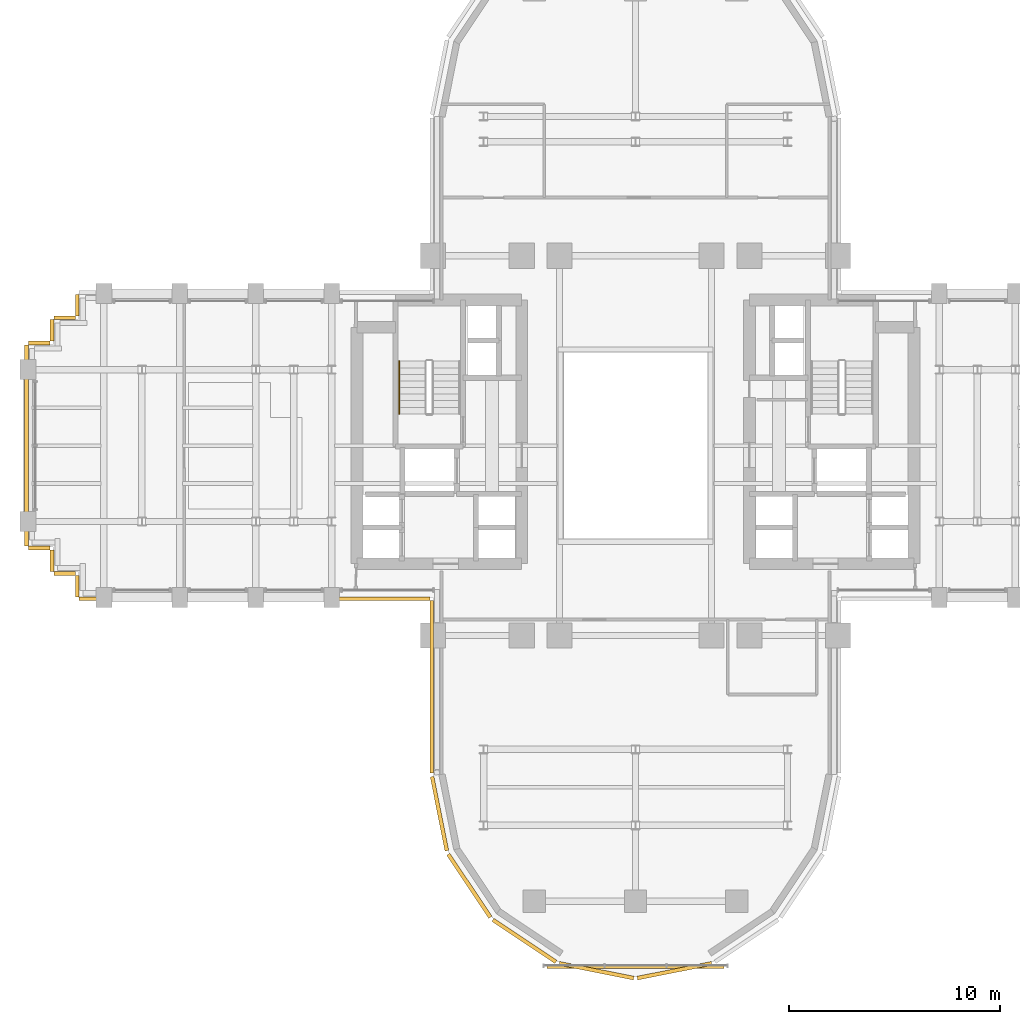
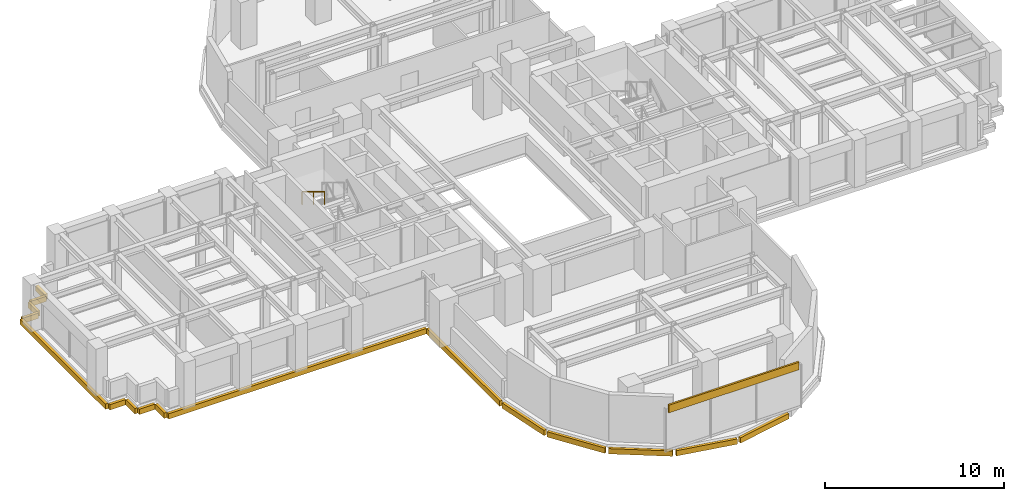
# One storey, part 13 of 16: 17 coverings, 1 railing.
"""IFC4 building model written with IfcOpenShell, lengths in metres."""

from ifc_helpers import new_model, si_unit, direction, frame, origin, origin_2d, place, context, subcontext, project, spatial, rectangle, extrude, source, transform, mapped, material, layer, layer_set, type_object, element, save


model = new_model("IFC4")

# Units and contexts
model_context = context("Model", 3, precision=1e-05, world=origin(), true_north=direction((0.0, 1.0)))
body_context = subcontext(model_context, "Body", "Model", "MODEL_VIEW")
ifc_project = project(units=[si_unit("LENGTHUNIT", "METRE"), si_unit("AREAUNIT", "SQUARE_METRE"), si_unit("VOLUMEUNIT", "CUBIC_METRE"), si_unit("PLANEANGLEUNIT", "RADIAN"), si_unit("MASSUNIT", "GRAM", prefix="KILO")], contexts=[model_context])

# Site, building, storey
site_placement = place(None, origin())
site = spatial("IfcSite", under=ifc_project, at=site_placement, CompositionType="ELEMENT")
building_placement = place(site_placement, origin())
building = spatial("IfcBuilding", under=site, at=building_placement, Name="Keilestroom Media Tower", CompositionType="ELEMENT")
storey_placement = place(building_placement, frame((0.0, 0.0, 61.199951171875)))
storey = spatial("IfcBuildingStorey", under=building, at=storey_placement, Name="L15", CompositionType="ELEMENT", Elevation=61.199951171875)

# Railing
ifc_material_1 = material(Name="Brushed Stainless Steel 1.4301", Category="steel")
railing_type = type_object("IfcRailingType", Name="Stair-Pitch-Handrail-920", PredefinedType="HANDRAIL", material=ifc_material_1)
railing_placement = place(storey_placement, frame((-11.2099609375, 3.99609375, 1.888916015625)))
element("IfcRailing", 1, at=railing_placement, inside=storey, type_object=railing_type, Name="L15 ST-1 stair handrail 2", PredefinedType="HANDRAIL", context=body_context, shape_type="SweptSolid", body=[
    extrude(rectangle(XDim=0.048095703125, YDim=0.048095703125, at=origin_2d()), frame((0.0, 0.0, 0.8759765625), z_axis=(0.0, -0.855433747314, 0.517912255074), x_axis=(1.0, 0.0, 0.0)), (0.0, 0.0, 1.0), 2.91796875),
    extrude(rectangle(XDim=0.0419921875, YDim=0.0419921875, at=origin_2d()), origin(), (0.0, 0.0, 1.0), 0.84375),
    extrude(rectangle(XDim=0.0419921875, YDim=0.0419921875, at=origin_2d()), frame((0.0, -1.248046875, 0.755615234375)), (0.0, 0.0, 1.0), 0.84375),
    extrude(rectangle(XDim=0.0419921875, YDim=0.0419921875, at=origin_2d()), frame((0.0, -2.49609375, 1.51123046875)), (0.0, 0.0, 1.0), 0.84375),
])

# Coverings
ifc_material_2 = material(Name="Precast concrete C40/50", Category="concrete")
ifc_layer = layer(ifc_material_2, 0.1201171875)
ifc_layer_set = layer_set([ifc_layer], Name="Precast concrete C40/50")
covering_type = type_object("IfcCoveringType", Name="Exterior-Precast-Spandrel-Cladding-Panel-120", PredefinedType="CLADDING", material=ifc_layer_set)
shared_shape_1 = source(origin(), body_context, "Body", "SweptSolid", [
    extrude(rectangle(XDim=8.39990234375, YDim=0.1201171875, at=origin_2d()), origin(), (0.0, 0.0, 1.0), 0.52001953125),
])
covering_1_placement = place(storey_placement, frame((0.0, -24.719970703125, 2.68994140625), z_axis=(0.0, 0.0, 1.0), x_axis=(1.0, 0.0, 0.0)))
element("IfcCovering", 2, at=covering_1_placement, inside=storey, type_object=covering_type, Name="L15 Precast Spandrel Cladding S", PredefinedType="CLADDING", context=body_context, shape_type="MappedRepresentation", body=[
    mapped(shared_shape_1, transform((0.0, 0.0, 0.0), x_axis=(1.0, 0.0, 0.0), y_axis=(0.0, 1.0, 0.0), z_axis=(0.0, 0.0, 1.0), scale=1.0)),
])
shared_shape_2 = source(origin(), body_context, "Body", "SweptSolid", [
    extrude(rectangle(XDim=1.02001953125, YDim=0.179931640625, at=origin_2d()), origin(), (0.0, 0.0, 1.0), 0.360107421875),
])
for number, where, z_axis, x_axis, name in (
    (3, (-26.4599609375, -6.659912109375, -0.5400390625), (0.0, 0.0, 1.0), (0.0, 1.0, 0.0), "L15 Precast Slab-Edge Fascia Cornice 17"),
    (4, (-27.06005859375, -6.06005859375, -0.5400390625), (0.0, 0.0, 1.0), (-1.0, 0.0, 0.0), "L15 Precast Slab-Edge Fascia Cornice 18"),
    (5, (-27.659912109375, -5.4599609375, -0.5400390625), (0.0, 0.0, 1.0), (0.0, 1.0, 0.0), "L15 Precast Slab-Edge Fascia Cornice 19"),
    (6, (-28.260009765625, -4.860107421875, -0.5400390625), (0.0, 0.0, 1.0), (-1.0, 0.0, 0.0), "L15 Precast Slab-Edge Fascia Cornice 20"),
    (7, (-28.260009765625, 4.860107421875, -0.5400390625), (0.0, 0.0, 1.0), (1.0, 0.0, 0.0), "L15 Precast Slab-Edge Fascia Cornice 22"),
    (8, (-27.659912109375, 5.4599609375, -0.5400390625), (0.0, 0.0, 1.0), (0.0, 1.0, 0.0), "L15 Precast Slab-Edge Fascia Cornice 23"),
    (9, (-27.06005859375, 6.06005859375, -0.5400390625), (0.0, 0.0, 1.0), (1.0, 0.0, 0.0), "L15 Precast Slab-Edge Fascia Cornice 24"),
    (10, (-26.4599609375, 6.659912109375, -0.5400390625), (0.0, 0.0, 1.0), (0.0, 1.0, 0.0), "L15 Precast Slab-Edge Fascia Cornice 25"),
):
    element("IfcCovering", number, at=place(storey_placement, frame(where, z_axis=z_axis, x_axis=x_axis)), inside=storey, type_object=covering_type, Name=name, PredefinedType="CLADDING", context=body_context, shape_type="MappedRepresentation", body=[
        mapped(shared_shape_2, transform((0.0, 0.0, 0.0), x_axis=(1.0, 0.0, 0.0), y_axis=(0.0, 1.0, 0.0), z_axis=(0.0, 0.0, 1.0), scale=1.0)),
    ])
shared_shape_3 = source(origin(), body_context, "Body", "SweptSolid", [
    extrude(rectangle(XDim=16.6201171875, YDim=0.179931640625, at=origin_2d()), origin(), (0.0, 0.0, 1.0), 0.360107421875),
])
covering_2_placement = place(storey_placement, frame((-18.06005859375, -7.260009765625, -0.5400390625), z_axis=(0.0, 0.0, 1.0), x_axis=(-1.0, 0.0, 0.0)))
element("IfcCovering", 11, at=covering_2_placement, inside=storey, type_object=covering_type, Name="L15 Precast Slab-Edge Fascia Cornice 16", PredefinedType="CLADDING", context=body_context, shape_type="MappedRepresentation", body=[
    mapped(shared_shape_3, transform((0.0, 0.0, 0.0), x_axis=(1.0, 0.0, 0.0), y_axis=(0.0, 1.0, 0.0), z_axis=(0.0, 0.0, 1.0), scale=1.0)),
])
shared_shape_4 = source(origin(), body_context, "Body", "SweptSolid", [
    extrude(rectangle(XDim=8.166015625, YDim=0.179931640625, at=origin_2d()), origin(), (0.0, 0.0, 1.0), 0.360107421875),
])
covering_3_placement = place(storey_placement, frame((-9.659912109375, -11.43310546875, -0.5400390625), z_axis=(0.0, 0.0, 1.0), x_axis=(0.0, 1.0, 0.0)))
element("IfcCovering", 12, at=covering_3_placement, inside=storey, type_object=covering_type, Name="L15 Precast Slab-Edge Fascia Cornice 15", PredefinedType="CLADDING", context=body_context, shape_type="MappedRepresentation", body=[
    mapped(shared_shape_4, transform((0.0, 0.0, 0.0), x_axis=(1.0, 0.0, 0.0), y_axis=(0.0, 1.0, 0.0), z_axis=(0.0, 0.0, 1.0), scale=1.0)),
])
shared_shape_5 = source(origin(), body_context, "Body", "SweptSolid", [
    extrude(rectangle(XDim=3.58349609375, YDim=0.179931640625, at=origin_2d()), origin(), (0.0, 0.0, 1.0), 0.360107421875),
])
covering_4_placement = place(storey_placement, frame((-9.29296875, -17.45166015625, -0.5400390625), z_axis=(0.0, 0.0, 1.0), x_axis=(-0.195098880975, 0.980783577882, 0.0)))
element("IfcCovering", 13, at=covering_4_placement, inside=storey, type_object=covering_type, Name="L15 Precast Slab-Edge Fascia Cornice 14", PredefinedType="CLADDING", context=body_context, shape_type="MappedRepresentation", body=[
    mapped(shared_shape_5, transform((0.0, 0.0, 0.0), x_axis=(1.0, 0.0, 0.0), y_axis=(0.0, 1.0, 0.0), z_axis=(0.0, 0.0, 1.0), scale=1.0)),
])
shared_shape_6 = source(origin(), body_context, "Body", "SweptSolid", [
    extrude(rectangle(XDim=3.589599609375, YDim=0.179931640625, at=origin_2d()), origin(), (0.0, 0.0, 1.0), 0.360107421875),
])
for number, where, z_axis, x_axis, name in (
    (14, (1.8486328125, -24.893310546875, -0.5400390625), (0.0, 0.0, 1.0), (-0.980783577882, -0.195098880975, 0.0), "L15 Precast Slab-Edge Fascia Cornice 10"),
    (15, (-1.8486328125, -24.893310546875, -0.5400390625), (0.0, 0.0, 1.0), (-0.980783577882, 0.195098880975, 0.0), "L15 Precast Slab-Edge Fascia Cornice 11"),
    (16, (-5.264404296875, -23.478515625, -0.5400390625), (0.0, 0.0, 1.0), (-0.831466703332, 0.555574586577, 0.0), "L15 Precast Slab-Edge Fascia Cornice 12"),
    (17, (-7.878662109375, -20.8642578125, -0.5400390625), (0.0, 0.0, 1.0), (-0.555574586577, 0.831466703332, 0.0), "L15 Precast Slab-Edge Fascia Cornice 13"),
):
    element("IfcCovering", number, at=place(storey_placement, frame(where, z_axis=z_axis, x_axis=x_axis)), inside=storey, type_object=covering_type, Name=name, PredefinedType="CLADDING", context=body_context, shape_type="MappedRepresentation", body=[
        mapped(shared_shape_6, transform((0.0, 0.0, 0.0), x_axis=(1.0, 0.0, 0.0), y_axis=(0.0, 1.0, 0.0), z_axis=(0.0, 0.0, 1.0), scale=1.0)),
    ])
shared_shape_7 = source(origin(), body_context, "Body", "SweptSolid", [
    extrude(rectangle(XDim=9.5400390625, YDim=0.179931640625, at=origin_2d()), origin(), (0.0, 0.0, 1.0), 0.360107421875),
])
covering_5_placement = place(storey_placement, frame((-28.860107421875, 0.0, -0.5400390625), z_axis=(0.0, 0.0, 1.0), x_axis=(0.0, 1.0, 0.0)))
element("IfcCovering", 18, at=covering_5_placement, inside=storey, type_object=covering_type, Name="L15 Precast Slab-Edge Fascia Cornice 21", PredefinedType="CLADDING", context=body_context, shape_type="MappedRepresentation", body=[
    mapped(shared_shape_7, transform((0.0, 0.0, 0.0), x_axis=(1.0, 0.0, 0.0), y_axis=(0.0, 1.0, 0.0), z_axis=(0.0, 0.0, 1.0), scale=1.0)),
])

save(model, "model.ifc")
